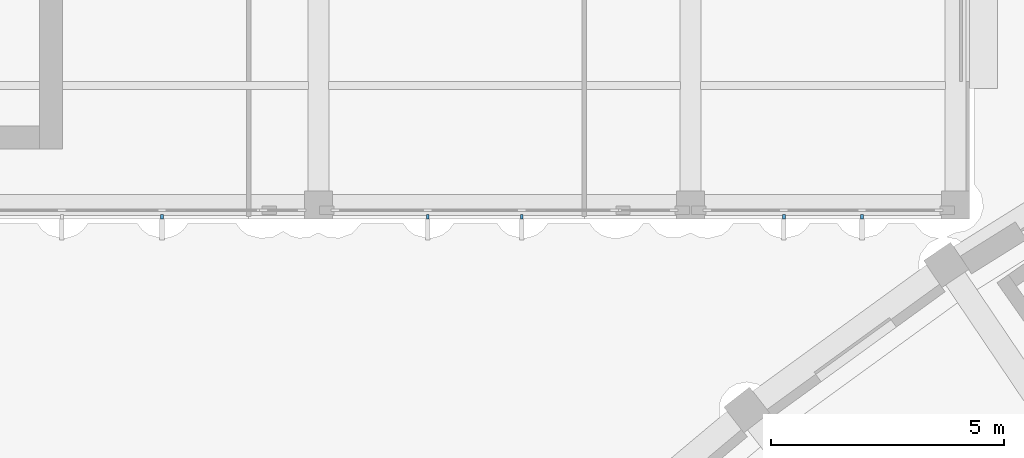
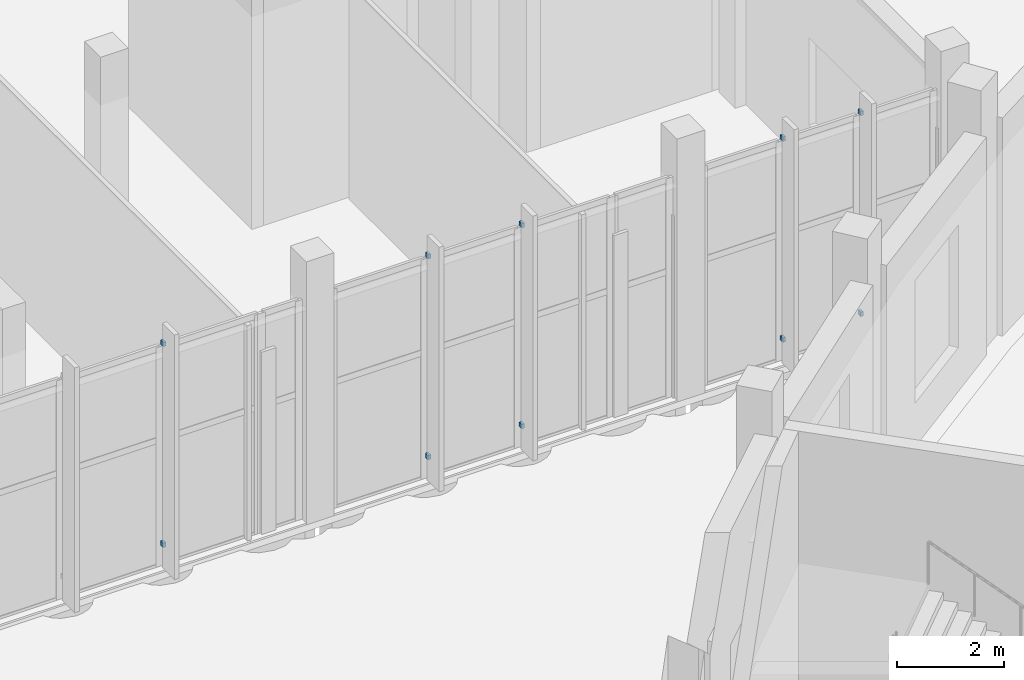
# One storey, part 110 of 155: 10 discrete accessories.
"""IFC4 building model written with IfcOpenShell, lengths in metres."""

from ifc_helpers import new_model, si_unit, direction, frame, origin, origin_2d, place, context, subcontext, project, spatial, rectangle, extrude, material, type_object, element, save


model = new_model("IFC4")

# Units and contexts
model_context = context("Model", 3, precision=1e-05, world=origin(), true_north=direction((0.0, 1.0)))
body_context = subcontext(model_context, "Body", "Model", "MODEL_VIEW")
ifc_project = project(units=[si_unit("LENGTHUNIT", "METRE"), si_unit("AREAUNIT", "SQUARE_METRE"), si_unit("VOLUMEUNIT", "CUBIC_METRE"), si_unit("PLANEANGLEUNIT", "RADIAN"), si_unit("MASSUNIT", "GRAM", prefix="KILO")], contexts=[model_context])

# Site, building, storey
site_placement = place(None, origin())
site = spatial("IfcSite", under=ifc_project, at=site_placement, CompositionType="ELEMENT")
building_placement = place(site_placement, origin())
building = spatial("IfcBuilding", under=site, at=building_placement, Name="Lunette Opera House", CompositionType="ELEMENT")
storey_placement = place(building_placement, origin())
storey = spatial("IfcBuildingStorey", under=building, at=storey_placement, Name="L00", CompositionType="ELEMENT", Elevation=0.0)

# Discrete accessories
ifc_material = material(Name="Galvanised steel", Category="steel")
discrete_accessory_type = type_object("IfcDiscreteAccessoryType", Name="FIN BRACKET STEEL", PredefinedType="BRACKET", material=ifc_material)
for number, where, z_axis, x_axis, name in (
    (1, (36.635009765625, 64.04296875, 0.56494140625), (0.0, 0.0, 1.0), (0.0, -1.0, 0.0), "Fin bracket RW-X2010 2 1"),
    (2, (36.635009765625, 64.04296875, 5.14990234375), (0.0, 0.0, 1.0), (0.0, -1.0, 0.0), "Fin bracket RW-X2010 2 2"),
    (3, (42.35107421875, 64.04296875, 0.56494140625), (0.0, 0.0, 1.0), (0.0, -1.0, 0.0), "Fin bracket RW-X2012 1 1"),
    (4, (42.35107421875, 64.04296875, 5.14990234375), (0.0, 0.0, 1.0), (0.0, -1.0, 0.0), "Fin bracket RW-X2012 1 2"),
    (5, (44.373046875, 64.04296875, 0.56494140625), (0.0, 0.0, 1.0), (0.0, -1.0, 0.0), "Fin bracket RW-X2012 2 1"),
    (6, (44.373046875, 64.04296875, 5.14990234375), (0.0, 0.0, 1.0), (0.0, -1.0, 0.0), "Fin bracket RW-X2012 2 2"),
    (7, (50.010009765625, 64.04296875, 0.56494140625), (0.0, 0.0, 1.0), (0.0, -1.0, 0.0), "Fin bracket RW-X2014 1 1"),
    (8, (50.010009765625, 64.04296875, 5.14990234375), (0.0, 0.0, 1.0), (0.0, -1.0, 0.0), "Fin bracket RW-X2014 1 2"),
    (9, (51.68994140625, 64.04296875, 0.56494140625), (0.0, 0.0, 1.0), (0.0, -1.0, 0.0), "Fin bracket RW-X2014 2 1"),
    (10, (51.68994140625, 64.04296875, 5.14990234375), (0.0, 0.0, 1.0), (0.0, -1.0, 0.0), "Fin bracket RW-X2014 2 2"),
):
    element("IfcDiscreteAccessory", number, at=place(storey_placement, frame(where, z_axis=z_axis, x_axis=x_axis)), inside=storey, type_object=discrete_accessory_type, Name=name, PredefinedType="BRACKET", context=body_context, shape_type="SweptSolid", body=[
        extrude(rectangle(XDim=0.10009765625, YDim=0.06005859375, at=origin_2d()), origin(), (0.0, 0.0, 1.0), 0.10009765625),
    ])

save(model, "model.ifc")
